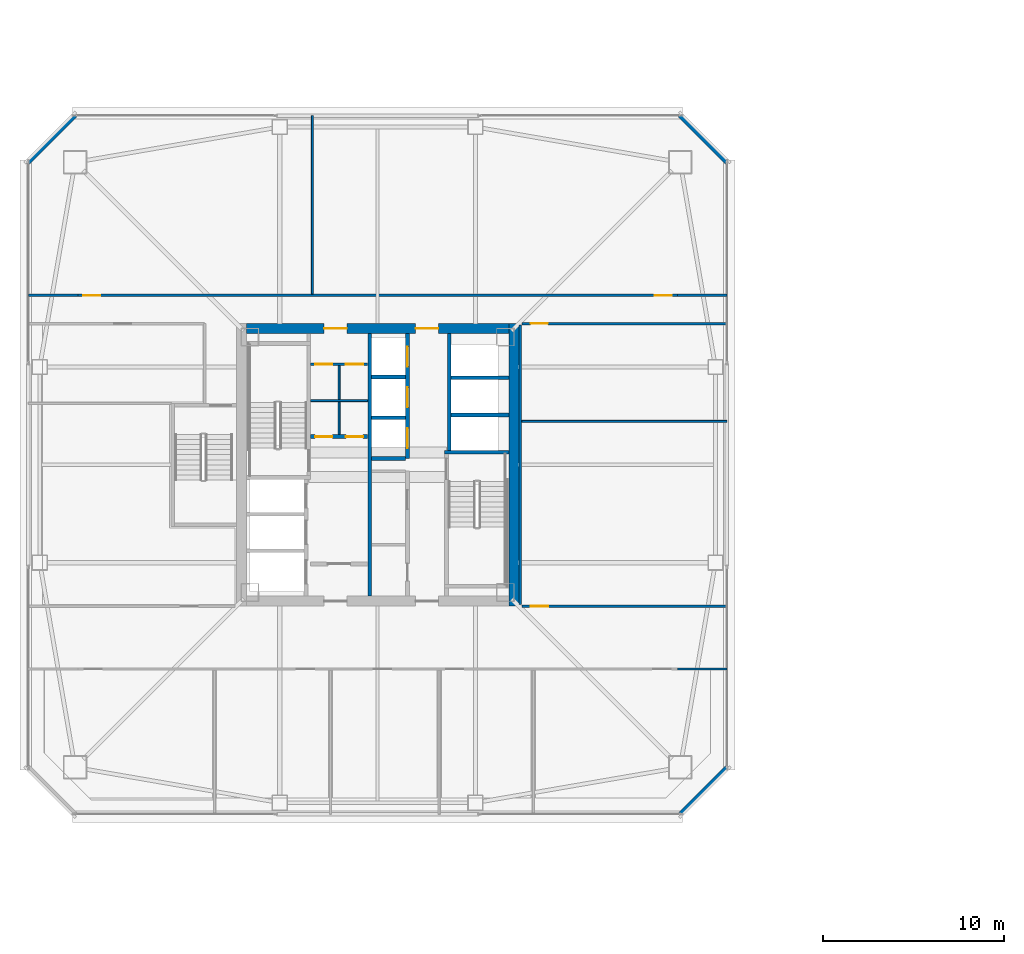
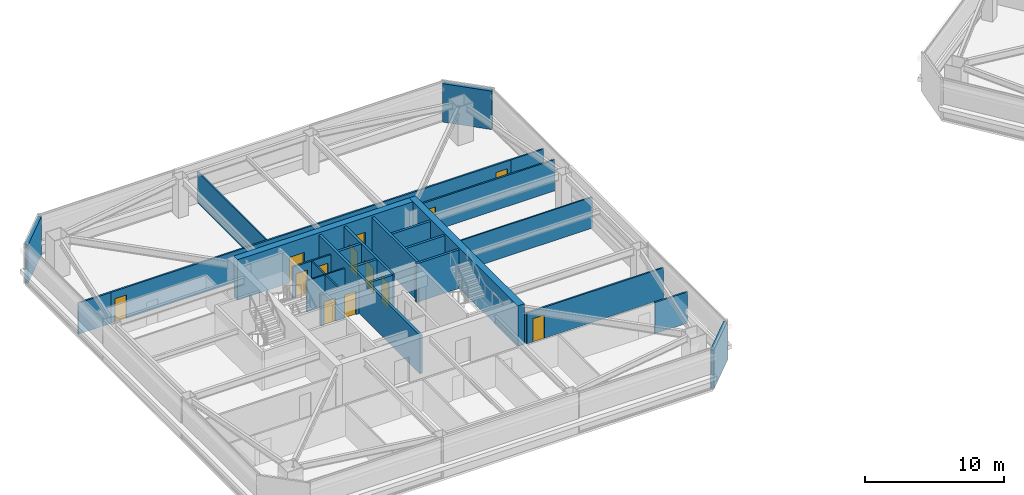
# One storey, part 32 of 41: 27 walls, 13 doors, 13 openings.
"""IFC4 building model written with IfcOpenShell, lengths in metres."""

from ifc_helpers import new_model, si_unit, direction, frame, frame_2d, origin, place, context, subcontext, project, spatial, rectangle, extrude, material, layer, layer_set, type_object, element, fill, save


model = new_model("IFC4")

# Units and contexts
model_context = context("Model", 3, precision=1e-05, world=origin(), true_north=direction((0.0, 1.0)))
body_context = subcontext(model_context, "Body", "Model", "MODEL_VIEW")
ifc_project = project(units=[si_unit("LENGTHUNIT", "METRE"), si_unit("AREAUNIT", "SQUARE_METRE"), si_unit("VOLUMEUNIT", "CUBIC_METRE"), si_unit("PLANEANGLEUNIT", "RADIAN"), si_unit("MASSUNIT", "GRAM", prefix="KILO")], contexts=[model_context])

# Site, building, storey
site_placement = place(None, origin())
site = spatial("IfcSite", under=ifc_project, at=site_placement, CompositionType="ELEMENT")
building_placement = place(site_placement, origin())
building = spatial("IfcBuilding", under=site, at=building_placement, Name="Tashvorn Skyway Center", CompositionType="ELEMENT")
storey_placement = place(building_placement, frame((0.0, 0.0, 117.949951171875)))
storey = spatial("IfcBuildingStorey", under=building, at=storey_placement, Name="L31", CompositionType="ELEMENT", Elevation=117.949951171875)

# Wall
ifc_material_1 = material(Name="Concrete C60/75", Category="concrete")
ifc_layer_1 = layer(ifc_material_1, 0.550048828125)
ifc_layer_set_1 = layer_set([ifc_layer_1], Name="Concrete C60/75")
wall_type_1 = type_object("IfcWallType", Name="WALL-CORE-550", PredefinedType="SHEAR", material=ifc_layer_set_1)
wall_1_placement = place(storey_placement, frame((49.52490234375, 39.800048828125, 0.0), z_axis=(0.0, 0.0, 1.0), x_axis=(0.0, -1.0, 0.0)))
element("IfcWall", 1, at=wall_1_placement, inside=storey, type_object=wall_type_1, Name="Tower 1 L31 East Core Shear Wall", PredefinedType="SHEAR", context=body_context, shape_type="SweptSolid", body=[
    extrude(rectangle(XDim=15.60009765625, YDim=0.550048828125, at=frame_2d((7.800048828125, 0.0))), origin(), (0.0, 0.0, 1.0), 3.550048828125),
])

# Wall, openings, doors
wall_2_placement = place(storey_placement, frame((34.75, 39.52490234375, 0.0), z_axis=(0.0, 0.0, 1.0), x_axis=(1.0, 0.0, 0.0)))
wall_2 = element("IfcWall", 2, at=wall_2_placement, inside=storey, type_object=wall_type_1, Name="Tower 1 L31 North Core Shear Wall", PredefinedType="SHEAR", context=body_context, shape_type="SweptSolid", body=[
    extrude(rectangle(XDim=14.5, YDim=0.550048828125, at=frame_2d((7.25, 0.0))), origin(), (0.0, 0.0, 1.0), 3.550048828125),
])
opening_1_placement = place(wall_2_placement, frame((4.300048828125, 0.0, 0.0)))
opening_1 = element("IfcOpeningElement", 3, at=opening_1_placement, cuts=wall_2, Name="Opening D-FFL-1250", PredefinedType="OPENING", context=body_context, shape_type="SweptSolid", body=[
    extrude(rectangle(XDim=1.25, YDim=2.25, at=frame_2d((0.625, 1.125))), frame((0.0, 0.284912109375, 0.0), z_axis=(0.0, -1.0, 0.0), x_axis=(1.0, 0.0, 0.0)), (0.0, 0.0, 1.0), 0.570068359375),
])
opening_2_placement = place(wall_2_placement, frame((9.35009765625, 0.0, 0.0)))
opening_2 = element("IfcOpeningElement", 4, at=opening_2_placement, cuts=wall_2, Name="Opening D-FFL-1250", PredefinedType="OPENING", context=body_context, shape_type="SweptSolid", body=[
    extrude(rectangle(XDim=1.25, YDim=2.25, at=frame_2d((0.625, 1.125))), frame((0.0, 0.284912109375, 0.0), z_axis=(0.0, -1.0, 0.0), x_axis=(1.0, 0.0, 0.0)), (0.0, 0.0, 1.0), 0.570068359375),
])
ifc_material_2 = material(Name="Hollow galvanized steel fire door assembly", Category="steel")
door_type_1 = type_object("IfcDoorType", Name="DOOR-FFL-1250", OperationType="NOTDEFINED", PredefinedType="DOOR", material=ifc_material_2)
door_1_placement = place(opening_1_placement, origin())
door_1 = element("IfcDoor", 5, at=door_1_placement, inside=storey, type_object=door_type_1, Name="Tower 1 L31 Core North Service Lobby Door", OperationType="SINGLE_SWING_LEFT", OverallHeight=2.25, OverallWidth=1.25, PredefinedType="DOOR", context=body_context, shape_type="SweptSolid", body=[
    extrude(rectangle(XDim=1.25, YDim=2.25, at=frame_2d((0.625, 1.125))), frame((0.0, 0.02490234375, 0.0), z_axis=(0.0, -1.0, 0.0), x_axis=(1.0, 0.0, 0.0)), (0.0, 0.0, 1.0), 0.050048828125),
])
fill(opening_1, door_1)
door_2_placement = place(opening_2_placement, origin())
door_2 = element("IfcDoor", 6, at=door_2_placement, inside=storey, type_object=door_type_1, Name="Tower 1 L31 Core North Lift Lobby Door", OperationType="SINGLE_SWING_RIGHT", OverallHeight=2.25, OverallWidth=1.25, PredefinedType="DOOR", context=body_context, shape_type="SweptSolid", body=[
    extrude(rectangle(XDim=1.25, YDim=2.25, at=frame_2d((0.625, 1.125))), frame((0.0, 0.02490234375, 0.0), z_axis=(0.0, -1.0, 0.0), x_axis=(1.0, 0.0, 0.0)), (0.0, 0.0, 1.0), 0.050048828125),
])
fill(opening_2, door_2)

# Walls
ifc_material_3 = material(Name="Precast concrete C40/50", Category="concrete")
ifc_layer_2 = layer(ifc_material_3, 0.280029296875)
ifc_layer_set_2 = layer_set([ifc_layer_2], Name="Precast concrete C40/50")
wall_type_2 = type_object("IfcWallType", Name="WALL-EXT-280", PredefinedType="SOLIDWALL", material=ifc_layer_set_2)
for number, where, z_axis, x_axis, name in (
    (7, (22.699951171875, 48.699951171875, 0.0), (0.0, 0.0, 1.0), (0.707106781187, 0.707106781187, 0.0), "Tower 1 L31 NW Precast Chamfer Wall"),
    (8, (58.699951171875, 51.300048828125, 0.0), (0.0, 0.0, 1.0), (0.707106781187, -0.707106781187, 0.0), "Tower 1 L31 NE Precast Chamfer Wall"),
    (9, (61.300048828125, 15.300048828125, 0.0), (0.0, 0.0, 1.0), (-0.707106781187, -0.707106781187, 0.0), "Tower 1 L31 SE Precast Chamfer Wall"),
):
    element("IfcWall", number, at=place(storey_placement, frame(where, z_axis=z_axis, x_axis=x_axis)), inside=storey, type_object=wall_type_2, Name=name, PredefinedType="SOLIDWALL", context=body_context, shape_type="SweptSolid", body=[
        extrude(rectangle(XDim=3.677001953125, YDim=0.280029296875, at=frame_2d((1.83837890625, 0.0))), origin(), (0.0, 0.0, 1.0), 3.3701171875),
    ])

# Wall, openings, doors
ifc_material_4 = material(Name="Concrete C40/50", Category="concrete")
ifc_layer_3 = layer(ifc_material_4, 0.219970703125)
ifc_layer_set_3 = layer_set([ifc_layer_3], Name="Concrete C40/50")
wall_type_3 = type_object("IfcWallType", Name="WALL-FFL-220", PredefinedType="SOLIDWALL", material=ifc_layer_set_3)
wall_3_placement = place(storey_placement, frame((38.300048828125, 33.56005859375, 0.0), z_axis=(0.0, 0.0, 1.0), x_axis=(1.0, 0.0, 0.0)))
wall_3 = element("IfcWall", 10, at=wall_3_placement, inside=storey, type_object=wall_type_3, Name="Tower 1 L31 Firefighting Lobby North Wall", PredefinedType="SOLIDWALL", context=body_context, shape_type="SweptSolid", body=[
    extrude(rectangle(XDim=3.14990234375, YDim=0.219970703125, at=frame_2d((1.574951171875, 0.0))), origin(), (0.0, 0.0, 1.0), 2.72314453125),
])
opening_3_placement = place(wall_3_placement, frame((0.25, 0.0, 0.0)))
opening_3 = element("IfcOpeningElement", 11, at=opening_3_placement, cuts=wall_3, Name="Opening D-RT-950", PredefinedType="OPENING", context=body_context, shape_type="SweptSolid", body=[
    extrude(rectangle(XDim=0.949951171875, YDim=2.050048828125, at=frame_2d((0.47509765625, 1.02490234375))), frame((0.0, 0.119873046875, 0.0), z_axis=(0.0, -1.0, 0.0), x_axis=(1.0, 0.0, 0.0)), (0.0, 0.0, 1.0), 0.239990234375),
])
opening_4_placement = place(wall_3_placement, frame((1.949951171875, 0.0, 0.0)))
opening_4 = element("IfcOpeningElement", 12, at=opening_4_placement, cuts=wall_3, Name="Opening D-RT-950", PredefinedType="OPENING", context=body_context, shape_type="SweptSolid", body=[
    extrude(rectangle(XDim=0.949951171875, YDim=2.050048828125, at=frame_2d((0.47509765625, 1.02490234375))), frame((0.0, 0.119873046875, 0.0), z_axis=(0.0, -1.0, 0.0), x_axis=(1.0, 0.0, 0.0)), (0.0, 0.0, 1.0), 0.239990234375),
])
door_type_2 = type_object("IfcDoorType", Name="DOOR-RATED-950", OperationType="NOTDEFINED", PredefinedType="DOOR", material=ifc_material_2)
door_3_placement = place(opening_3_placement, origin())
door_3 = element("IfcDoor", 13, at=door_3_placement, inside=storey, type_object=door_type_2, Name="Tower 1 L31 Core Mail Room Door", OperationType="SINGLE_SWING_LEFT", OverallHeight=2.050048828125, OverallWidth=0.949951171875, PredefinedType="DOOR", context=body_context, shape_type="SweptSolid", body=[
    extrude(rectangle(XDim=0.949951171875, YDim=2.050048828125, at=frame_2d((0.47509765625, 1.02490234375))), frame((0.0, 0.02490234375, 0.0), z_axis=(0.0, -1.0, 0.0), x_axis=(1.0, 0.0, 0.0)), (0.0, 0.0, 1.0), 0.050048828125),
])
fill(opening_3, door_3)
door_4_placement = place(opening_4_placement, origin())
door_4 = element("IfcDoor", 14, at=door_4_placement, inside=storey, type_object=door_type_2, Name="Tower 1 L31 Core Supply Closet Door", OperationType="SINGLE_SWING_RIGHT", OverallHeight=2.050048828125, OverallWidth=0.949951171875, PredefinedType="DOOR", context=body_context, shape_type="SweptSolid", body=[
    extrude(rectangle(XDim=0.949951171875, YDim=2.050048828125, at=frame_2d((0.47509765625, 1.02490234375))), frame((0.0, 0.02490234375, 0.0), z_axis=(0.0, -1.0, 0.0), x_axis=(1.0, 0.0, 0.0)), (0.0, 0.0, 1.0), 0.050048828125),
])
fill(opening_4, door_4)

# Walls
ifc_material_5 = material(Name="Gypsum board on cold-formed steel stud framing", Category="steel")
ifc_layer_4 = layer(ifc_material_5, 0.110107421875)
ifc_layer_set_4 = layer_set([ifc_layer_4], Name="Gypsum board on cold-formed steel stud framing")
wall_type_4 = type_object("IfcWallType", Name="WALL-PART-110", PredefinedType="PARTITIONING", material=ifc_layer_set_4)
wall_4_placement = place(storey_placement, frame((38.39990234375, 41.429931640625, 0.0), z_axis=(0.0, 0.0, 1.0), x_axis=(0.0, 1.0, 0.0)))
element("IfcWall", 15, at=wall_4_placement, inside=storey, type_object=wall_type_4, Name="Tower 1 L31 North Suite Partition 1", PredefinedType="PARTITIONING", context=body_context, shape_type="SweptSolid", body=[
    extrude(rectangle(XDim=9.85009765625, YDim=0.110107421875, at=frame_2d((4.925048828125, 0.0))), origin(), (0.0, 0.0, 1.0), 2.72314453125),
])
wall_5_placement = place(storey_placement, frame((49.9599609375, 34.39990234375, 0.0), z_axis=(0.0, 0.0, 1.0), x_axis=(1.0, 0.0, 0.0)))
element("IfcWall", 16, at=wall_5_placement, inside=storey, type_object=wall_type_4, Name="Tower 1 L31 East Mid Partition", PredefinedType="PARTITIONING", context=body_context, shape_type="SweptSolid", body=[
    extrude(rectangle(XDim=11.320068359375, YDim=0.110107421875, at=frame_2d((5.66015625, 0.0))), origin(), (0.0, 0.0, 1.0), 2.72314453125),
])

# Wall, openings, doors
ifc_layer_5 = layer(ifc_material_5, 0.135009765625)
ifc_layer_set_5 = layer_set([ifc_layer_5], Name="Gypsum board on cold-formed steel stud framing")
wall_type_5 = type_object("IfcWallType", Name="WALL-PART-135", PredefinedType="PARTITIONING", material=ifc_layer_set_5)
wall_6_placement = place(storey_placement, frame((25.449951171875, 41.35009765625, 0.0), z_axis=(0.0, 0.0, 1.0), x_axis=(1.0, 0.0, 0.0)))
wall_6 = element("IfcWall", 17, at=wall_6_placement, inside=storey, type_object=wall_type_5, Name="Tower 1 L31 North Suite Wall", PredefinedType="PARTITIONING", context=body_context, shape_type="SweptSolid", body=[
    extrude(rectangle(XDim=33.10009765625, YDim=0.135009765625, at=frame_2d((16.550048828125, 0.0))), origin(), (0.0, 0.0, 1.0), 2.72314453125),
])
opening_5_placement = place(wall_6_placement, frame((0.300048828125, 0.0, 0.0)))
opening_5 = element("IfcOpeningElement", 18, at=opening_5_placement, cuts=wall_6, Name="Opening D-INT-950", PredefinedType="OPENING", context=body_context, shape_type="SweptSolid", body=[
    extrude(rectangle(XDim=0.949951171875, YDim=2.050048828125, at=frame_2d((0.47509765625, 1.02490234375))), frame((0.0, 0.077392578125, 0.0), z_axis=(0.0, -1.0, 0.0), x_axis=(1.0, 0.0, 0.0)), (0.0, 0.0, 1.0), 0.155029296875),
])
opening_6_placement = place(wall_6_placement, frame((31.85009765625, 0.0, 0.0)))
opening_6 = element("IfcOpeningElement", 19, at=opening_6_placement, cuts=wall_6, Name="Opening D-INT-950", PredefinedType="OPENING", context=body_context, shape_type="SweptSolid", body=[
    extrude(rectangle(XDim=0.949951171875, YDim=2.050048828125, at=frame_2d((0.47509765625, 1.02490234375))), frame((0.0, 0.077392578125, 0.0), z_axis=(0.0, -1.0, 0.0), x_axis=(1.0, 0.0, 0.0)), (0.0, 0.0, 1.0), 0.155029296875),
])
ifc_material_6 = material(Name="Solid-core architectural oak veneer door")
door_type_3 = type_object("IfcDoorType", Name="DOOR-INT-950", OperationType="NOTDEFINED", PredefinedType="DOOR", material=ifc_material_6)
door_5_placement = place(opening_5_placement, origin())
door_5 = element("IfcDoor", 20, at=door_5_placement, inside=storey, type_object=door_type_3, Name="Tower 1 L31 Executive Study Lounge Door", OperationType="SINGLE_SWING_RIGHT", OverallHeight=2.050048828125, OverallWidth=0.949951171875, PredefinedType="DOOR", context=body_context, shape_type="SweptSolid", body=[
    extrude(rectangle(XDim=0.949951171875, YDim=2.050048828125, at=frame_2d((0.47509765625, 1.02490234375))), frame((0.0, 0.02490234375, 0.0), z_axis=(0.0, -1.0, 0.0), x_axis=(1.0, 0.0, 0.0)), (0.0, 0.0, 1.0), 0.050048828125),
])
fill(opening_5, door_5)
door_6_placement = place(opening_6_placement, origin())
door_6 = element("IfcDoor", 21, at=door_6_placement, inside=storey, type_object=door_type_3, Name="Tower 1 L31 Executive Study Lounge Door", OperationType="SINGLE_SWING_LEFT", OverallHeight=2.050048828125, OverallWidth=0.949951171875, PredefinedType="DOOR", context=body_context, shape_type="SweptSolid", body=[
    extrude(rectangle(XDim=0.949951171875, YDim=2.050048828125, at=frame_2d((0.47509765625, 1.02490234375))), frame((0.0, 0.02490234375, 0.0), z_axis=(0.0, -1.0, 0.0), x_axis=(1.0, 0.0, 0.0)), (0.0, 0.0, 1.0), 0.050048828125),
])
fill(opening_6, door_6)

# Walls
for number, where, z_axis, x_axis, name in (
    (22, (22.719970703125, 41.35009765625, 0.0), (0.0, 0.0, 1.0), (1.0, 0.0, 0.0), "Tower 1 L31 North-West Suite South Wall"),
    (23, (58.550048828125, 41.35009765625, 0.0), (0.0, 0.0, 1.0), (1.0, 0.0, 0.0), "Tower 1 L31 North-East Suite South Wall"),
    (24, (58.550048828125, 20.72998046875, 0.0), (0.0, 0.0, 1.0), (1.0, 0.0, 0.0), "Tower 1 L31 South-East Suite North Wall"),
):
    element("IfcWall", number, at=place(storey_placement, frame(where, z_axis=z_axis, x_axis=x_axis)), inside=storey, type_object=wall_type_5, Name=name, PredefinedType="PARTITIONING", context=body_context, shape_type="SweptSolid", body=[
        extrude(rectangle(XDim=2.72998046875, YDim=0.135009765625, at=frame_2d((1.364990234375, 0.0))), origin(), (0.0, 0.0, 1.0), 2.72314453125),
    ])
wall_7_placement = place(storey_placement, frame((49.8798828125, 39.719970703125, 0.0), z_axis=(0.0, 0.0, 1.0), x_axis=(0.0, -1.0, 0.0)))
element("IfcWall", 25, at=wall_7_placement, inside=storey, type_object=wall_type_5, Name="Tower 1 L31 East Inner Suite Wall", PredefinedType="PARTITIONING", context=body_context, shape_type="SweptSolid", body=[
    extrude(rectangle(XDim=15.43994140625, YDim=0.135009765625, at=frame_2d((7.719970703125, 0.0))), origin(), (0.0, 0.0, 1.0), 2.72314453125),
])

# Wall, opening, door
wall_8_placement = place(storey_placement, frame((61.280029296875, 39.800048828125, 0.0), z_axis=(0.0, 0.0, 1.0), x_axis=(-1.0, 0.0, 0.0)))
wall_8 = element("IfcWall", 26, at=wall_8_placement, inside=storey, type_object=wall_type_5, Name="Tower 1 L31 East Suite North Wall", PredefinedType="PARTITIONING", context=body_context, shape_type="SweptSolid", body=[
    extrude(rectangle(XDim=11.320068359375, YDim=0.135009765625, at=frame_2d((5.66015625, 0.0))), origin(), (0.0, 0.0, 1.0), 2.72314453125),
])
opening_7_placement = place(wall_8_placement, frame((9.8798828125, 0.0, 0.0)))
opening_7 = element("IfcOpeningElement", 27, at=opening_7_placement, cuts=wall_8, Name="Opening D-INT-950", PredefinedType="OPENING", context=body_context, shape_type="SweptSolid", body=[
    extrude(rectangle(XDim=0.949951171875, YDim=2.050048828125, at=frame_2d((0.47509765625, 1.02490234375))), frame((0.0, 0.077392578125, 0.0), z_axis=(0.0, -1.0, 0.0), x_axis=(1.0, 0.0, 0.0)), (0.0, 0.0, 1.0), 0.155029296875),
])
door_7_placement = place(opening_7_placement, origin())
door_7 = element("IfcDoor", 28, at=door_7_placement, inside=storey, type_object=door_type_3, Name="Tower 1 L31 Open Plan Office Door", OperationType="SINGLE_SWING_LEFT", OverallHeight=2.050048828125, OverallWidth=0.949951171875, PredefinedType="DOOR", context=body_context, shape_type="SweptSolid", body=[
    extrude(rectangle(XDim=0.949951171875, YDim=2.050048828125, at=frame_2d((0.47509765625, 1.02490234375))), frame((0.0, 0.02490234375, 0.0), z_axis=(0.0, -1.0, 0.0), x_axis=(1.0, 0.0, 0.0)), (0.0, 0.0, 1.0), 0.050048828125),
])
fill(opening_7, door_7)

wall_9_placement = place(storey_placement, frame((49.9599609375, 24.199951171875, 0.0), z_axis=(0.0, 0.0, 1.0), x_axis=(1.0, 0.0, 0.0)))
wall_9 = element("IfcWall", 29, at=wall_9_placement, inside=storey, type_object=wall_type_5, Name="Tower 1 L31 East Suite South Wall", PredefinedType="PARTITIONING", context=body_context, shape_type="SweptSolid", body=[
    extrude(rectangle(XDim=11.320068359375, YDim=0.135009765625, at=frame_2d((5.66015625, 0.0))), origin(), (0.0, 0.0, 1.0), 2.72314453125),
])
opening_8_placement = place(wall_9_placement, frame((0.5, 0.0, 0.0)))
opening_8 = element("IfcOpeningElement", 30, at=opening_8_placement, cuts=wall_9, Name="Opening D-INT-950", PredefinedType="OPENING", context=body_context, shape_type="SweptSolid", body=[
    extrude(rectangle(XDim=0.949951171875, YDim=2.050048828125, at=frame_2d((0.47509765625, 1.02490234375))), frame((0.0, 0.077392578125, 0.0), z_axis=(0.0, -1.0, 0.0), x_axis=(1.0, 0.0, 0.0)), (0.0, 0.0, 1.0), 0.155029296875),
])
door_8_placement = place(opening_8_placement, origin())
door_8 = element("IfcDoor", 31, at=door_8_placement, inside=storey, type_object=door_type_3, Name="Tower 1 L31 Public Restroom Door", OperationType="SINGLE_SWING_RIGHT", OverallHeight=2.050048828125, OverallWidth=0.949951171875, PredefinedType="DOOR", context=body_context, shape_type="SweptSolid", body=[
    extrude(rectangle(XDim=0.949951171875, YDim=2.050048828125, at=frame_2d((0.47509765625, 1.02490234375))), frame((0.0, 0.02490234375, 0.0), z_axis=(0.0, -1.0, 0.0), x_axis=(1.0, 0.0, 0.0)), (0.0, 0.0, 1.0), 0.050048828125),
])
fill(opening_8, door_8)

# Walls
ifc_layer_6 = layer(ifc_material_5, 0.110107421875)
ifc_layer_set_6 = layer_set([ifc_layer_6], Name="Gypsum board on cold-formed steel stud framing")
wall_type_6 = type_object("IfcWallType", Name="WALL-RATED-110", PredefinedType="PARTITIONING", material=ifc_layer_set_6)
wall_10_placement = place(storey_placement, frame((39.8798828125, 33.679931640625, 0.0), z_axis=(0.0, 0.0, 1.0), x_axis=(0.0, 1.0, 0.0)))
element("IfcWall", 32, at=wall_10_placement, inside=storey, type_object=wall_type_6, Name="Tower 1 L31 Core Cross Vertical", PredefinedType="PARTITIONING", context=body_context, shape_type="SweptSolid", body=[
    extrude(rectangle(XDim=3.800048828125, YDim=0.110107421875, at=frame_2d((1.89990234375, 0.0))), origin(), (0.0, 0.0, 1.0), 2.72314453125),
])
wall_11_placement = place(storey_placement, frame((38.300048828125, 35.550048828125, 0.0), z_axis=(0.0, 0.0, 1.0), x_axis=(1.0, 0.0, 0.0)))
element("IfcWall", 33, at=wall_11_placement, inside=storey, type_object=wall_type_6, Name="Tower 1 L31 Core Cross Horizontal", PredefinedType="PARTITIONING", context=body_context, shape_type="SweptSolid", body=[
    extrude(rectangle(XDim=3.14990234375, YDim=0.110107421875, at=frame_2d((1.574951171875, 0.0))), origin(), (0.0, 0.0, 1.0), 2.72314453125),
])

# Wall, openings, doors
ifc_layer_7 = layer(ifc_material_5, 0.135009765625)
ifc_layer_set_7 = layer_set([ifc_layer_7], Name="Gypsum board on cold-formed steel stud framing")
wall_type_7 = type_object("IfcWallType", Name="WALL-RATED-135", PredefinedType="PARTITIONING", material=ifc_layer_set_7)
wall_12_placement = place(storey_placement, frame((38.300048828125, 37.550048828125, 0.0), z_axis=(0.0, 0.0, 1.0), x_axis=(1.0, 0.0, 0.0)))
wall_12 = element("IfcWall", 34, at=wall_12_placement, inside=storey, type_object=wall_type_7, Name="Tower 1 L31 Core Service Lobby Wall", PredefinedType="PARTITIONING", context=body_context, shape_type="SweptSolid", body=[
    extrude(rectangle(XDim=3.14990234375, YDim=0.135009765625, at=frame_2d((1.574951171875, 0.0))), origin(), (0.0, 0.0, 1.0), 2.72314453125),
])
opening_9_placement = place(wall_12_placement, frame((0.25, 0.0, 0.0)))
opening_9 = element("IfcOpeningElement", 35, at=opening_9_placement, cuts=wall_12, Name="Opening D-RT-950", PredefinedType="OPENING", context=body_context, shape_type="SweptSolid", body=[
    extrude(rectangle(XDim=0.949951171875, YDim=2.050048828125, at=frame_2d((0.47509765625, 1.02490234375))), frame((0.0, 0.077392578125, 0.0), z_axis=(0.0, -1.0, 0.0), x_axis=(1.0, 0.0, 0.0)), (0.0, 0.0, 1.0), 0.155029296875),
])
opening_10_placement = place(wall_12_placement, frame((1.949951171875, 0.0, 0.0)))
opening_10 = element("IfcOpeningElement", 36, at=opening_10_placement, cuts=wall_12, Name="Opening D-RT-950", PredefinedType="OPENING", context=body_context, shape_type="SweptSolid", body=[
    extrude(rectangle(XDim=0.949951171875, YDim=2.050048828125, at=frame_2d((0.47509765625, 1.02490234375))), frame((0.0, 0.077392578125, 0.0), z_axis=(0.0, -1.0, 0.0), x_axis=(1.0, 0.0, 0.0)), (0.0, 0.0, 1.0), 0.155029296875),
])
door_9_placement = place(opening_9_placement, origin())
door_9 = element("IfcDoor", 37, at=door_9_placement, inside=storey, type_object=door_type_2, Name="Tower 1 L31 Core Cleaner Store Door", OperationType="SINGLE_SWING_LEFT", OverallHeight=2.050048828125, OverallWidth=0.949951171875, PredefinedType="DOOR", context=body_context, shape_type="SweptSolid", body=[
    extrude(rectangle(XDim=0.949951171875, YDim=2.050048828125, at=frame_2d((0.47509765625, 1.02490234375))), frame((0.0, 0.02490234375, 0.0), z_axis=(0.0, -1.0, 0.0), x_axis=(1.0, 0.0, 0.0)), (0.0, 0.0, 1.0), 0.050048828125),
])
fill(opening_9, door_9)
door_10_placement = place(opening_10_placement, origin())
door_10 = element("IfcDoor", 38, at=door_10_placement, inside=storey, type_object=door_type_2, Name="Tower 1 L31 Core Accessible WC Door", OperationType="SINGLE_SWING_RIGHT", OverallHeight=2.050048828125, OverallWidth=0.949951171875, PredefinedType="DOOR", context=body_context, shape_type="SweptSolid", body=[
    extrude(rectangle(XDim=0.949951171875, YDim=2.050048828125, at=frame_2d((0.47509765625, 1.02490234375))), frame((0.0, 0.02490234375, 0.0), z_axis=(0.0, -1.0, 0.0), x_axis=(1.0, 0.0, 0.0)), (0.0, 0.0, 1.0), 0.050048828125),
])
fill(opening_10, door_10)

# Walls
ifc_layer_8 = layer(ifc_material_4, 0.199951171875)
ifc_layer_set_8 = layer_set([ifc_layer_8], Name="Concrete C40/50")
wall_type_8 = type_object("IfcWallType", Name="WALL-SHAFT-200", PredefinedType="SOLIDWALL", material=ifc_layer_set_8)
for number, where, z_axis, x_axis, name in (
    (39, (46.050048828125, 34.75, 0.0), (0.0, 0.0, 1.0), (1.0, 0.0, 0.0), "Tower 1 L31 High-Rise Shaft Divider"),
    (40, (46.050048828125, 36.800048828125, 0.0), (0.0, 0.0, 1.0), (1.0, 0.0, 0.0), "Tower 1 L31 High-Rise Shaft Divider"),
):
    element("IfcWall", number, at=place(storey_placement, frame(where, z_axis=z_axis, x_axis=x_axis)), inside=storey, type_object=wall_type_8, Name=name, PredefinedType="SOLIDWALL", context=body_context, shape_type="SweptSolid", body=[
        extrude(rectangle(XDim=3.199951171875, YDim=0.199951171875, at=frame_2d((1.60009765625, 0.0))), origin(), (0.0, 0.0, 1.0), 3.3701171875),
    ])

# Wall, openings, doors
wall_13_placement = place(storey_placement, frame((43.64990234375, 32.35009765625, 0.0), z_axis=(0.0, 0.0, 1.0), x_axis=(0.0, 1.0, 0.0)))
wall_13 = element("IfcWall", 41, at=wall_13_placement, inside=storey, type_object=wall_type_8, Name="Tower 1 L31 Mid-Rise Core Wall", PredefinedType="SOLIDWALL", context=body_context, shape_type="SweptSolid", body=[
    extrude(rectangle(XDim=6.89990234375, YDim=0.199951171875, at=frame_2d((3.449951171875, 0.0))), origin(), (0.0, 0.0, 1.0), 3.3701171875),
])
opening_11_placement = place(wall_13_placement, frame((0.574951171875, 0.0, 0.0)))
opening_11 = element("IfcOpeningElement", 42, at=opening_11_placement, cuts=wall_13, Name="Opening LD-MR-T1-1-L31", PredefinedType="OPENING", context=body_context, shape_type="SweptSolid", body=[
    extrude(rectangle(XDim=1.10009765625, YDim=2.199951171875, at=frame_2d((0.550048828125, 1.10009765625))), frame((0.0, 0.10986328125, 0.0), z_axis=(0.0, -1.0, 0.0), x_axis=(1.0, 0.0, 0.0)), (0.0, 0.0, 1.0), 0.219970703125),
])
opening_12_placement = place(wall_13_placement, frame((2.824951171875, 0.0, 0.0)))
opening_12 = element("IfcOpeningElement", 43, at=opening_12_placement, cuts=wall_13, Name="Opening LD-MR-T1-2-L31", PredefinedType="OPENING", context=body_context, shape_type="SweptSolid", body=[
    extrude(rectangle(XDim=1.10009765625, YDim=2.199951171875, at=frame_2d((0.550048828125, 1.10009765625))), frame((0.0, 0.10986328125, 0.0), z_axis=(0.0, -1.0, 0.0), x_axis=(1.0, 0.0, 0.0)), (0.0, 0.0, 1.0), 0.219970703125),
])
opening_13_placement = place(wall_13_placement, frame((5.074951171875, 0.0, 0.0)))
opening_13 = element("IfcOpeningElement", 44, at=opening_13_placement, cuts=wall_13, Name="Opening LD-MR-T1-3-L31", PredefinedType="OPENING", context=body_context, shape_type="SweptSolid", body=[
    extrude(rectangle(XDim=1.10009765625, YDim=2.199951171875, at=frame_2d((0.550048828125, 1.10009765625))), frame((0.0, 0.10986328125, 0.0), z_axis=(0.0, -1.0, 0.0), x_axis=(1.0, 0.0, 0.0)), (0.0, 0.0, 1.0), 0.219970703125),
])
ifc_material_7 = material(Name="Stainless steel landing door", Category="steel")
door_type_4 = type_object("IfcDoorType", Name="DOOR-LIFT-1100", OperationType="SLIDING_TO_LEFT", PredefinedType="DOOR", material=ifc_material_7)
door_11_placement = place(opening_11_placement, origin())
door_11 = element("IfcDoor", 45, at=door_11_placement, inside=storey, type_object=door_type_4, Name="Lift MR-T1-1 L31 Landing Door", OperationType="SLIDING_TO_LEFT", OverallHeight=2.199951171875, OverallWidth=1.10009765625, PredefinedType="DOOR", context=body_context, shape_type="SweptSolid", body=[
    extrude(rectangle(XDim=1.10009765625, YDim=2.199951171875, at=frame_2d((0.550048828125, 1.10009765625))), frame((0.0, 0.02490234375, 0.0), z_axis=(0.0, -1.0, 0.0), x_axis=(1.0, 0.0, 0.0)), (0.0, 0.0, 1.0), 0.050048828125),
])
fill(opening_11, door_11)
door_12_placement = place(opening_12_placement, origin())
door_12 = element("IfcDoor", 46, at=door_12_placement, inside=storey, type_object=door_type_4, Name="Lift MR-T1-2 L31 Landing Door", OperationType="SLIDING_TO_LEFT", OverallHeight=2.199951171875, OverallWidth=1.10009765625, PredefinedType="DOOR", context=body_context, shape_type="SweptSolid", body=[
    extrude(rectangle(XDim=1.10009765625, YDim=2.199951171875, at=frame_2d((0.550048828125, 1.10009765625))), frame((0.0, 0.02490234375, 0.0), z_axis=(0.0, -1.0, 0.0), x_axis=(1.0, 0.0, 0.0)), (0.0, 0.0, 1.0), 0.050048828125),
])
fill(opening_12, door_12)
door_13_placement = place(opening_13_placement, origin())
door_13 = element("IfcDoor", 47, at=door_13_placement, inside=storey, type_object=door_type_4, Name="Lift MR-T1-3 L31 Landing Door", OperationType="SLIDING_TO_LEFT", OverallHeight=2.199951171875, OverallWidth=1.10009765625, PredefinedType="DOOR", context=body_context, shape_type="SweptSolid", body=[
    extrude(rectangle(XDim=1.10009765625, YDim=2.199951171875, at=frame_2d((0.550048828125, 1.10009765625))), frame((0.0, 0.02490234375, 0.0), z_axis=(0.0, -1.0, 0.0), x_axis=(1.0, 0.0, 0.0)), (0.0, 0.0, 1.0), 0.050048828125),
])
fill(opening_13, door_13)

# Walls
for number, where, z_axis, x_axis, name in (
    (48, (41.669921875, 32.35009765625, 0.0), (0.0, 0.0, 1.0), (1.0, 0.0, 0.0), "Tower 1 L31 Mid-Rise Shaft Divider"),
    (49, (41.669921875, 34.60009765625, 0.0), (0.0, 0.0, 1.0), (1.0, 0.0, 0.0), "Tower 1 L31 Mid-Rise Shaft Divider"),
    (50, (41.669921875, 36.85009765625, 0.0), (0.0, 0.0, 1.0), (1.0, 0.0, 0.0), "Tower 1 L31 Mid-Rise Shaft Divider"),
):
    element("IfcWall", number, at=place(storey_placement, frame(where, z_axis=z_axis, x_axis=x_axis)), inside=storey, type_object=wall_type_8, Name=name, PredefinedType="SOLIDWALL", context=body_context, shape_type="SweptSolid", body=[
        extrude(rectangle(XDim=1.880126953125, YDim=0.199951171875, at=frame_2d((0.93994140625, 0.0))), origin(), (0.0, 0.0, 1.0), 3.3701171875),
    ])
ifc_layer_9 = layer(ifc_material_4, 0.199951171875)
ifc_layer_set_9 = layer_set([ifc_layer_9], Name="Concrete C40/50")
wall_type_9 = type_object("IfcWallType", Name="WALL-STSHF-200", PredefinedType="SHEAR", material=ifc_layer_set_9)
wall_14_placement = place(storey_placement, frame((45.699951171875, 32.699951171875, 0.0), z_axis=(0.0, 0.0, 1.0), x_axis=(1.0, 0.0, 0.0)))
element("IfcWall", 51, at=wall_14_placement, inside=storey, type_object=wall_type_9, Name="Tower 1 L31 Stair 2 North Wall", PredefinedType="SHEAR", context=body_context, shape_type="SweptSolid", body=[
    extrude(rectangle(XDim=3.550048828125, YDim=0.199951171875, at=frame_2d((1.77490234375, 0.0))), origin(), (0.0, 0.0, 1.0), 3.3701171875),
])
wall_15_placement = place(storey_placement, frame((41.56005859375, 24.75, 0.0), z_axis=(0.0, 0.0, 1.0), x_axis=(0.0, 1.0, 0.0)))
element("IfcWall", 52, at=wall_15_placement, inside=storey, type_object=wall_type_9, Name="Tower 1 L31 Firefighting Lobby East Smoke Barrier", PredefinedType="SHEAR", context=body_context, shape_type="SweptSolid", body=[
    extrude(rectangle(XDim=14.5, YDim=0.199951171875, at=frame_2d((7.25, 0.0))), origin(), (0.0, 0.0, 1.0), 3.3701171875),
])
wall_16_placement = place(storey_placement, frame((45.949951171875, 39.25, 0.0), z_axis=(0.0, 0.0, 1.0), x_axis=(0.0, -1.0, 0.0)))
element("IfcWall", 53, at=wall_16_placement, inside=storey, type_object=wall_type_9, Name="Tower 1 L31 High-Rise Lift Shaft Front Wall", PredefinedType="SHEAR", context=body_context, shape_type="SweptSolid", body=[
    extrude(rectangle(XDim=6.449951171875, YDim=0.199951171875, at=frame_2d((3.22509765625, 0.0))), origin(), (0.0, 0.0, 1.0), 3.3701171875),
])

save(model, "model.ifc")
